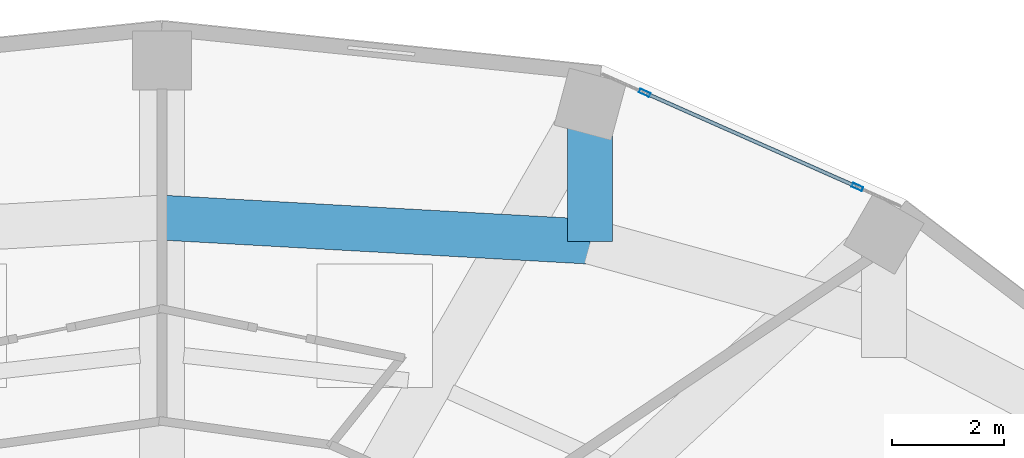
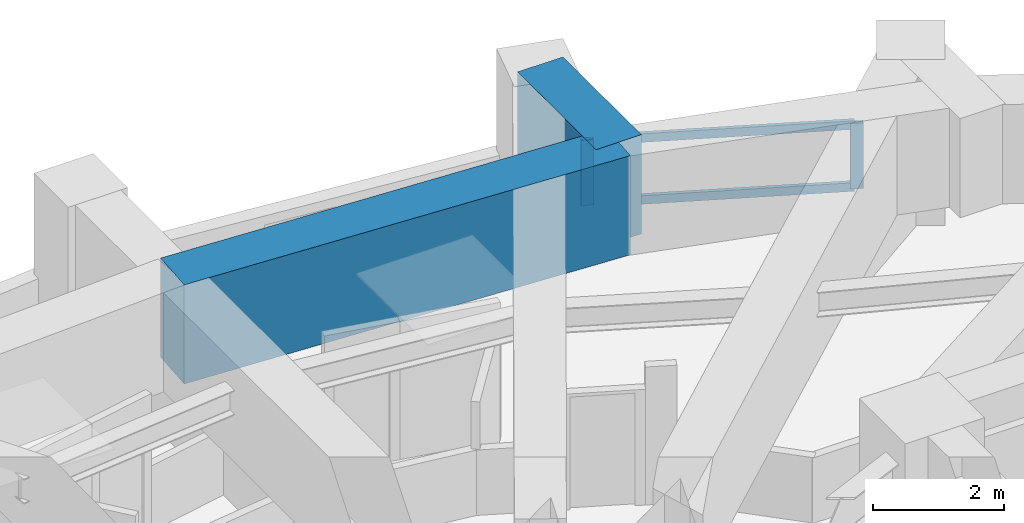
# One storey, part 7 of 16: 4 members, 2 beams, 1 element without a shape of its own.
"""IFC4 building model written with IfcOpenShell, lengths in metres."""

from ifc_helpers import new_model, si_unit, direction, frame, origin, origin_2d, place, context, subcontext, project, spatial, rectangle, hollow_rectangle, extrude, material, layer, layer_set, material_profile, profile_set, type_object, element, aggregate, save


model = new_model("IFC4")

# Units and contexts
model_context = context("Model", 3, precision=1e-05, world=origin(), true_north=direction((0.0, 1.0)))
body_context = subcontext(model_context, "Body", "Model", "MODEL_VIEW")
ifc_project = project(units=[si_unit("LENGTHUNIT", "METRE"), si_unit("AREAUNIT", "SQUARE_METRE"), si_unit("VOLUMEUNIT", "CUBIC_METRE"), si_unit("PLANEANGLEUNIT", "RADIAN"), si_unit("MASSUNIT", "GRAM", prefix="KILO")], contexts=[model_context])

# Site, building, storey
site_placement = place(None, origin())
site = spatial("IfcSite", under=ifc_project, at=site_placement, CompositionType="ELEMENT")
building_placement = place(site_placement, origin())
building = spatial("IfcBuilding", under=site, at=building_placement, Name="Solvane Sanctuary Tower", CompositionType="ELEMENT")
storey_placement = place(building_placement, frame((0.0, 0.0, 119.699951171875)))
storey = spatial("IfcBuildingStorey", under=building, at=storey_placement, Name="L36", CompositionType="ELEMENT", Elevation=119.699951171875)

# Beams
ifc_material_1 = material(Name="Concrete C70/85", Category="concrete")
ifc_material_profile_1 = material_profile(ifc_material_1, rectangle(XDim=0.800048828125, YDim=1.85009765625, at=origin_2d()), Name="RC800X1850")
ifc_profile_set_1 = profile_set([ifc_material_profile_1], Name="Concrete C70/85")
beam_type = type_object("IfcBeamType", Name="Beam B-XFER-BLK RC800X1850", PredefinedType="BEAM", material=ifc_profile_set_1)
beam_1_placement = place(storey_placement, frame((39.62939453125, 41.050048828125, 2.175048828125), z_axis=(0.0, -1.0, 0.0), x_axis=(1.0, 0.0, 0.0)))
element("IfcBeam", 1, at=beam_1_placement, inside=storey, type_object=beam_type, Name="L36 Block-Shift Transfer Tie 03B", PredefinedType="BEAM", context=body_context, shape_type="SweptSolid", body=[
    extrude(rectangle(XDim=0.800048828125, YDim=1.85009765625, at=origin_2d()), origin(), (0.0, 0.0, 1.0), 2.39794921875),
])
beam_2_placement = place(storey_placement, frame((32.0, 39.080078125, 2.175048828125), z_axis=(0.998430322971, -0.056007947397, 0.0), x_axis=(0.056007947397, 0.998430322971, 0.0)))
element("IfcBeam", 2, at=beam_2_placement, inside=storey, type_object=beam_type, Name="L36 Perimeter Step Transfer Ring NTC04-NTC03", PredefinedType="BEAM", context=body_context, shape_type="SweptSolid", body=[
    extrude(rectangle(XDim=0.800048828125, YDim=1.85009765625, at=origin_2d()), origin(), (0.0, 0.0, 1.0), 7.641357421875),
])

# Curtain wall, members
ifc_material_2 = material(Name="Anodised Aluminium 6063-T6", Category="aluminium")
ifc_layer = layer(ifc_material_2, 0.179931640625, Name="Anodised Aluminium 6063-T6")
ifc_layer_set = layer_set([ifc_layer], Name="Anodised Aluminium 6063-T6")
curtain_wall_type = type_object("IfcCurtainWallType", Name="Curtain Wall CW-FRIT-Z2", PredefinedType="NOTDEFINED", material=ifc_layer_set)
curtain_wall_placement = place(storey_placement, origin())
curtain_wall = element("IfcCurtainWall", 3, at=curtain_wall_placement, inside=storey, type_object=curtain_wall_type, Name="L36 CW-FRIT-Z2 Facade Run 04", PredefinedType="NOTDEFINED")
ifc_material_profile_2 = material_profile(ifc_material_2, hollow_rectangle(XDim=0.074951171875, YDim=0.199951171875, WallThickness=0.00390625, at=origin_2d()), Name="ALU200X75X4")
ifc_profile_set_2 = profile_set([ifc_material_profile_2], Name="Anodised Aluminium 6063-T6")
member_type_1 = type_object("IfcMemberType", Name="Member M-CW-MUL-1 ALU200X75X4", PredefinedType="MULLION", material=ifc_profile_set_2)
member_1_placement = place(storey_placement, frame((44.38916015625, 39.625244140625, 0.0), z_axis=(0.0, 0.0, 1.0), x_axis=(-0.404950504664, -0.914338607285, 0.0)))
member_1 = element("IfcMember", 4, at=member_1_placement, type_object=member_type_1, Name="CW-FRIT-Z2 mullion 1", PredefinedType="MULLION", context=body_context, shape_type="SweptSolid", body=[
    extrude(hollow_rectangle(XDim=0.074951171875, YDim=0.199951171875, WallThickness=0.00390625, at=origin_2d()), origin(), (0.0, 0.0, 1.0), 1.219970703125),
])
member_2_placement = place(storey_placement, frame((40.600341796875, 41.30322265625, 0.0), z_axis=(0.0, 0.0, 1.0), x_axis=(-0.404950504664, -0.914338607285, 0.0)))
member_2 = element("IfcMember", 5, at=member_2_placement, type_object=member_type_1, Name="CW-FRIT-Z2 mullion 2", PredefinedType="MULLION", context=body_context, shape_type="SweptSolid", body=[
    extrude(hollow_rectangle(XDim=0.074951171875, YDim=0.199951171875, WallThickness=0.00390625, at=origin_2d()), origin(), (0.0, 0.0, 1.0), 1.219970703125),
])
ifc_material_profile_3 = material_profile(ifc_material_2, hollow_rectangle(XDim=0.06494140625, YDim=0.159912109375, WallThickness=0.00341796875, at=origin_2d()), Name="ALU160X65X3.5")
ifc_profile_set_3 = profile_set([ifc_material_profile_3], Name="Anodised Aluminium 6063-T6")
member_type_2 = type_object("IfcMemberType", Name="Member M-CW-TRN-1 ALU160X65X3.5", PredefinedType="USERDEFINED", material=ifc_profile_set_3)
member_3_placement = place(storey_placement, frame((44.35498046875, 39.640380859375, 0.032470703125), z_axis=(-0.914332885629, 0.404963423357, 0.0), x_axis=(-0.404963423357, -0.914332885629, 0.0)))
member_3 = element("IfcMember", 6, at=member_3_placement, type_object=member_type_2, Name="CW-FRIT-Z2 transom 1.1", ObjectType="TRANSOM", PredefinedType="USERDEFINED", context=body_context, shape_type="SweptSolid", body=[
    extrude(hollow_rectangle(XDim=0.06494140625, YDim=0.159912109375, WallThickness=0.00341796875, at=origin_2d()), origin(), (0.0, 0.0, 1.0), 4.06884765625),
])
member_4_placement = place(storey_placement, frame((44.35498046875, 39.640380859375, 1.1875), z_axis=(-0.914332885629, 0.404963423357, 0.0), x_axis=(-0.404963423357, -0.914332885629, 0.0)))
member_4 = element("IfcMember", 7, at=member_4_placement, type_object=member_type_2, Name="CW-FRIT-Z2 transom 1.2", ObjectType="TRANSOM", PredefinedType="USERDEFINED", context=body_context, shape_type="SweptSolid", body=[
    extrude(hollow_rectangle(XDim=0.06494140625, YDim=0.159912109375, WallThickness=0.00341796875, at=origin_2d()), origin(), (0.0, 0.0, 1.0), 4.06884765625),
])
aggregate(curtain_wall, [member_1, member_2, member_3, member_4])

save(model, "model.ifc")
